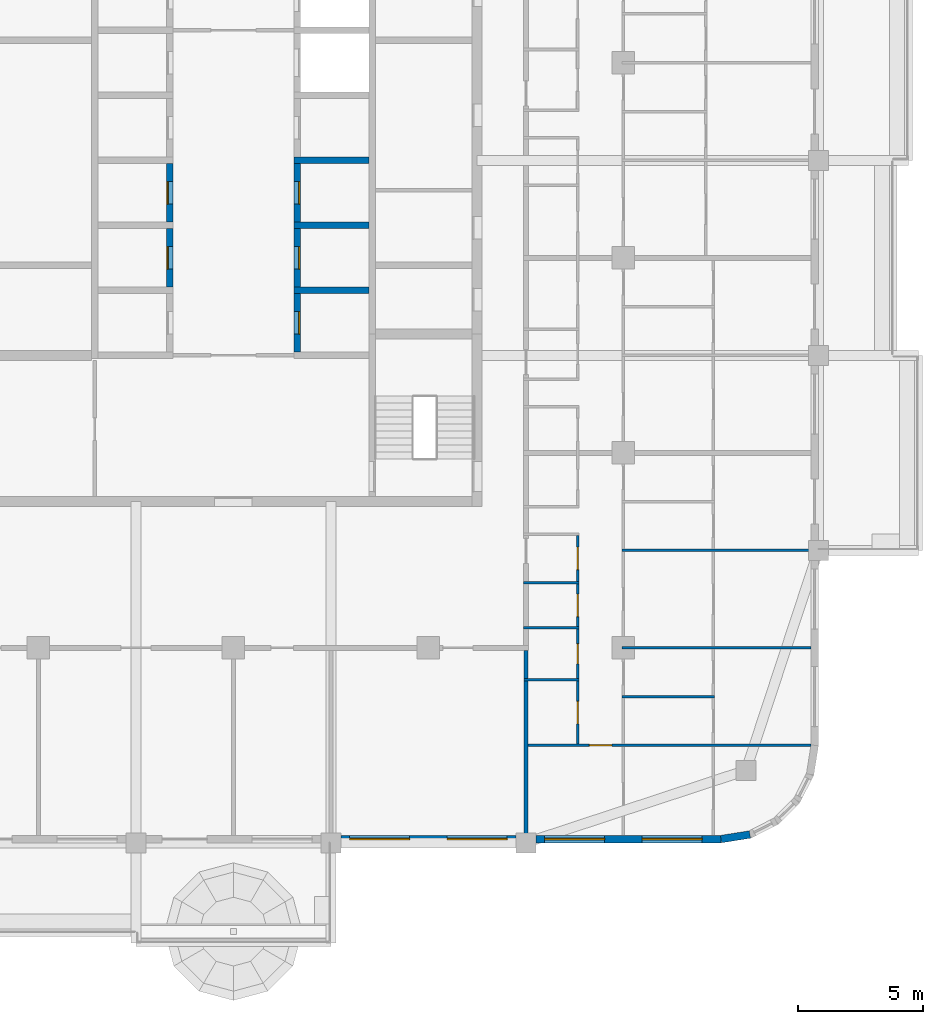
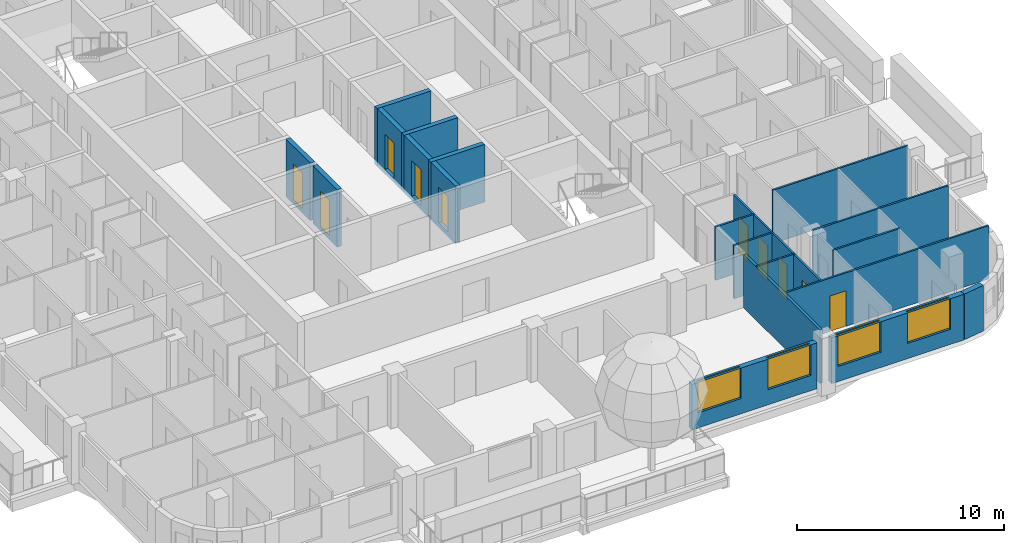
# One storey, part 5 of 17: 20 walls, 10 doors, 4 windows, 14 openings.
"""IFC4 building model written with IfcOpenShell, lengths in metres."""

from ifc_helpers import new_model, si_unit, direction, frame, frame_2d, origin, place, context, subcontext, project, spatial, rectangle, extrude, material, layer, layer_set, type_object, element, fill, save


model = new_model("IFC4")

# Units and contexts
model_context = context("Model", 3, precision=1e-05, world=origin(), true_north=direction((0.0, 1.0)))
body_context = subcontext(model_context, "Body", "Model", "MODEL_VIEW")
ifc_project = project(units=[si_unit("LENGTHUNIT", "METRE"), si_unit("AREAUNIT", "SQUARE_METRE"), si_unit("VOLUMEUNIT", "CUBIC_METRE"), si_unit("PLANEANGLEUNIT", "RADIAN"), si_unit("MASSUNIT", "GRAM", prefix="KILO")], contexts=[model_context])

# Site, building, storey
site_placement = place(None, origin())
site = spatial("IfcSite", under=ifc_project, at=site_placement, CompositionType="ELEMENT")
building_placement = place(site_placement, origin())
building = spatial("IfcBuilding", under=site, at=building_placement, Name="Ludao Terraces", CompositionType="ELEMENT")
storey_placement = place(building_placement, frame((0.0, 0.0, 221.10009765625)))
storey = spatial("IfcBuildingStorey", under=building, at=storey_placement, Name="L60", CompositionType="ELEMENT", Elevation=221.10009765625)

# Wall, openings, windows
ifc_material_1 = material(Name="Granite cladding", Category="masonry")
ifc_layer_1 = layer(ifc_material_1, 0.0400390625, Category="stone")
ifc_material_2 = material(Name="Mineral wool")
ifc_layer_2 = layer(ifc_material_2, 0.06005859375)
ifc_material_3 = material(Name="Concrete C40", Category="concrete")
ifc_layer_3 = layer(ifc_material_3, 0.199951171875, Category="concrete")
ifc_layer_set_1 = layer_set([ifc_layer_1, ifc_layer_2, ifc_layer_3], Name="ENV Stone-clad wall 300")
wall_type_1 = type_object("IfcWallType", Name="ENV Stone-clad wall 300", PredefinedType="SOLIDWALL", material=ifc_layer_set_1)
wall_1_placement = place(storey_placement, frame((89.300048828125, 41.75, 0.0), z_axis=(0.0, 0.0, 1.0), x_axis=(1.0, 0.0, 0.0)))
wall_1 = element("IfcWall", 1, at=wall_1_placement, inside=storey, type_object=wall_type_1, Name="EW-L60-S4", PredefinedType="SOLIDWALL", context=body_context, shape_type="SweptSolid", body=[
    extrude(rectangle(XDim=7.0, YDim=0.300048828125, at=frame_2d((3.5, 0.0))), origin(), (0.0, 0.0, 1.0), 2.699951171875),
])
opening_1_placement = place(wall_1_placement, frame((0.35009765625, 0.0, 0.89990234375)))
opening_1 = element("IfcOpeningElement", 2, at=opening_1_placement, cuts=wall_1, Name="Opening W1", PredefinedType="OPENING", context=body_context, shape_type="SweptSolid", body=[
    extrude(rectangle(XDim=2.39990234375, YDim=1.800048828125, at=frame_2d((1.199951171875, 0.89990234375))), frame((0.0, 0.16015625, 0.0), z_axis=(0.0, -1.0, 0.0), x_axis=(1.0, 0.0, 0.0)), (0.0, 0.0, 1.0), 0.320068359375),
])
opening_2_placement = place(wall_1_placement, frame((4.25, 0.0, 0.89990234375)))
opening_2 = element("IfcOpeningElement", 3, at=opening_2_placement, cuts=wall_1, Name="Opening W1", PredefinedType="OPENING", context=body_context, shape_type="SweptSolid", body=[
    extrude(rectangle(XDim=2.39990234375, YDim=1.800048828125, at=frame_2d((1.199951171875, 0.89990234375))), frame((0.0, 0.16015625, 0.0), z_axis=(0.0, -1.0, 0.0), x_axis=(1.0, 0.0, 0.0)), (0.0, 0.0, 1.0), 0.320068359375),
])
ifc_material_4 = material(Name="Clear glass in aluminium frame", Category="aluminium")
ifc_layer_4 = layer(ifc_material_4, 0.06005859375)
ifc_layer_set_2 = layer_set([ifc_layer_4], Name="ENV Window W1 2400x1800")
window_type = type_object("IfcWindowType", Name="ENV Window W1 2400x1800", PartitioningType="DOUBLE_PANEL_VERTICAL", PredefinedType="WINDOW", material=ifc_layer_set_2)
window_1_placement = place(opening_1_placement, origin())
window_1 = element("IfcWindow", 4, at=window_1_placement, inside=storey, type_object=window_type, Name="W-L60-S4-1", OverallHeight=1.800048828125, OverallWidth=2.39990234375, PartitioningType="DOUBLE_PANEL_VERTICAL", PredefinedType="WINDOW", context=body_context, shape_type="SweptSolid", body=[
    extrude(rectangle(XDim=2.39990234375, YDim=1.800048828125, at=frame_2d((1.199951171875, 0.89990234375))), frame((0.0, 0.030029296875, 0.0), z_axis=(0.0, -1.0, 0.0), x_axis=(1.0, 0.0, 0.0)), (0.0, 0.0, 1.0), 0.06005859375),
])
fill(opening_1, window_1)
window_2_placement = place(opening_2_placement, origin())
window_2 = element("IfcWindow", 5, at=window_2_placement, inside=storey, type_object=window_type, Name="W-L60-S4-2", OverallHeight=1.800048828125, OverallWidth=2.39990234375, PartitioningType="DOUBLE_PANEL_VERTICAL", PredefinedType="WINDOW", context=body_context, shape_type="SweptSolid", body=[
    extrude(rectangle(XDim=2.39990234375, YDim=1.800048828125, at=frame_2d((1.199951171875, 0.89990234375))), frame((0.0, 0.030029296875, 0.0), z_axis=(0.0, -1.0, 0.0), x_axis=(1.0, 0.0, 0.0)), (0.0, 0.0, 1.0), 0.06005859375),
])
fill(opening_2, window_2)

wall_2_placement = place(storey_placement, frame((97.10009765625, 41.75, 0.0), z_axis=(0.0, 0.0, 1.0), x_axis=(1.0, 0.0, 0.0)))
wall_2 = element("IfcWall", 6, at=wall_2_placement, inside=storey, type_object=wall_type_1, Name="EW-L60-S5", PredefinedType="SOLIDWALL", context=body_context, shape_type="SweptSolid", body=[
    extrude(rectangle(XDim=7.39990234375, YDim=0.300048828125, at=frame_2d((3.699951171875, 0.0))), origin(), (0.0, 0.0, 1.0), 2.699951171875),
])
opening_3_placement = place(wall_2_placement, frame((0.35009765625, 0.0, 0.89990234375)))
opening_3 = element("IfcOpeningElement", 7, at=opening_3_placement, cuts=wall_2, Name="Opening W1", PredefinedType="OPENING", context=body_context, shape_type="SweptSolid", body=[
    extrude(rectangle(XDim=2.39990234375, YDim=1.800048828125, at=frame_2d((1.199951171875, 0.89990234375))), frame((0.0, 0.16015625, 0.0), z_axis=(0.0, -1.0, 0.0), x_axis=(1.0, 0.0, 0.0)), (0.0, 0.0, 1.0), 0.320068359375),
])
opening_4_placement = place(wall_2_placement, frame((4.25, 0.0, 0.89990234375)))
opening_4 = element("IfcOpeningElement", 8, at=opening_4_placement, cuts=wall_2, Name="Opening W1", PredefinedType="OPENING", context=body_context, shape_type="SweptSolid", body=[
    extrude(rectangle(XDim=2.39990234375, YDim=1.800048828125, at=frame_2d((1.199951171875, 0.89990234375))), frame((0.0, 0.16015625, 0.0), z_axis=(0.0, -1.0, 0.0), x_axis=(1.0, 0.0, 0.0)), (0.0, 0.0, 1.0), 0.320068359375),
])
window_3_placement = place(opening_3_placement, origin())
window_3 = element("IfcWindow", 9, at=window_3_placement, inside=storey, type_object=window_type, Name="W-L60-S5-1", OverallHeight=1.800048828125, OverallWidth=2.39990234375, PartitioningType="DOUBLE_PANEL_VERTICAL", PredefinedType="WINDOW", context=body_context, shape_type="SweptSolid", body=[
    extrude(rectangle(XDim=2.39990234375, YDim=1.800048828125, at=frame_2d((1.199951171875, 0.89990234375))), frame((0.0, 0.030029296875, 0.0), z_axis=(0.0, -1.0, 0.0), x_axis=(1.0, 0.0, 0.0)), (0.0, 0.0, 1.0), 0.06005859375),
])
fill(opening_3, window_3)
window_4_placement = place(opening_4_placement, origin())
window_4 = element("IfcWindow", 10, at=window_4_placement, inside=storey, type_object=window_type, Name="W-L60-S5-2", OverallHeight=1.800048828125, OverallWidth=2.39990234375, PartitioningType="DOUBLE_PANEL_VERTICAL", PredefinedType="WINDOW", context=body_context, shape_type="SweptSolid", body=[
    extrude(rectangle(XDim=2.39990234375, YDim=1.800048828125, at=frame_2d((1.199951171875, 0.89990234375))), frame((0.0, 0.030029296875, 0.0), z_axis=(0.0, -1.0, 0.0), x_axis=(1.0, 0.0, 0.0)), (0.0, 0.0, 1.0), 0.06005859375),
])
fill(opening_4, window_4)

# Wall
wall_3_placement = place(storey_placement, frame((104.5, 41.75, 0.0), z_axis=(0.0, 0.0, 1.0), x_axis=(0.987678452879, 0.156496880861, 0.0)))
element("IfcWall", 11, at=wall_3_placement, inside=storey, type_object=wall_type_1, Name="EW-L60-SE1", PredefinedType="SOLIDWALL", context=body_context, shape_type="SweptSolid", body=[
    extrude(rectangle(XDim=1.173095703125, YDim=0.300048828125, at=frame_2d((0.58642578125, 0.0))), origin(), (0.0, 0.0, 1.0), 2.699951171875),
])

# Wall, opening, door
ifc_material_5 = material(Name="Gypsum plasterboard", Category="gypsum")
ifc_layer_5 = layer(ifc_material_5, 0.012451171875, Category="gypsum")
ifc_layer_6 = layer(ifc_material_2, 0.06005859375, Name="insulation")
ifc_material_6 = material(Name="Steel Q235", Category="steel")
ifc_layer_7 = layer(ifc_material_6, 0.014892578125, Name="stud")
ifc_layer_8 = layer(ifc_material_5, 0.012451171875, Category="gypsum")
ifc_layer_set_3 = layer_set([ifc_layer_5, ifc_layer_6, ifc_layer_7, ifc_layer_8], Name="INT Partition 100")
wall_type_2 = type_object("IfcWallType", Name="INT Partition 100", PredefinedType="PARTITIONING", material=ifc_layer_set_3)
wall_4_placement = place(storey_placement, frame((96.625, 45.5, 0.0), z_axis=(0.0, 0.0, 1.0), x_axis=(1.0, 0.0, 0.0)))
wall_4 = element("IfcWall", 12, at=wall_4_placement, inside=storey, type_object=wall_type_2, Name="PW-L60-PW001", PredefinedType="PARTITIONING", context=body_context, shape_type="SweptSolid", body=[
    extrude(rectangle(XDim=11.47509765625, YDim=0.10009765625, at=frame_2d((5.737548828125, 0.0))), origin(), (0.0, 0.0, 1.0), 3.14990234375),
])
opening_5_placement = place(wall_4_placement, frame((2.610107421875, 0.0, 0.0)))
opening_5 = element("IfcOpeningElement", 13, at=opening_5_placement, cuts=wall_4, Name="Opening R21-006", PredefinedType="OPENING", context=body_context, shape_type="SweptSolid", body=[
    extrude(rectangle(XDim=0.89990234375, YDim=2.10009765625, at=frame_2d((0.449951171875, 1.050048828125))), frame((0.0, 0.06005859375, 0.0), z_axis=(0.0, -1.0, 0.0), x_axis=(1.0, 0.0, 0.0)), (0.0, 0.0, 1.0), 0.1201171875),
])
ifc_material_7 = material(Name="Timber door leaf", Category="wood")
door_type_1 = type_object("IfcDoorType", Name="INT Room door 900", OperationType="SINGLE_SWING_LEFT", PredefinedType="DOOR", material=ifc_material_7)
door_1_placement = place(opening_5_placement, origin())
door_1 = element("IfcDoor", 14, at=door_1_placement, inside=storey, type_object=door_type_1, Name="DOOR 006", OperationType="SINGLE_SWING_RIGHT", OverallHeight=2.10009765625, OverallWidth=0.89990234375, PredefinedType="DOOR", context=body_context, shape_type="SweptSolid", body=[
    extrude(rectangle(XDim=0.89990234375, YDim=2.10009765625, at=frame_2d((0.449951171875, 1.050048828125))), frame((0.0, 0.02490234375, 0.0), z_axis=(0.0, -1.0, 0.0), x_axis=(1.0, 0.0, 0.0)), (0.0, 0.0, 1.0), 0.050048828125),
])
fill(opening_5, door_1)

# Walls
wall_5_placement = place(storey_placement, frame((100.550048828125, 47.449951171875, 0.0), z_axis=(0.0, 0.0, 1.0), x_axis=(1.0, 0.0, 0.0)))
element("IfcWall", 15, at=wall_5_placement, inside=storey, type_object=wall_type_2, Name="PW-L60-PW003", PredefinedType="PARTITIONING", context=body_context, shape_type="SweptSolid", body=[
    extrude(rectangle(XDim=3.699951171875, YDim=0.10009765625, at=frame_2d((1.85009765625, 0.0))), origin(), (0.0, 0.0, 1.0), 3.14990234375),
])
wall_6_placement = place(storey_placement, frame((96.625, 48.1201171875, 0.0), z_axis=(0.0, 0.0, 1.0), x_axis=(1.0, 0.0, 0.0)))
element("IfcWall", 16, at=wall_6_placement, inside=storey, type_object=wall_type_2, Name="PW-L60-PW005", PredefinedType="PARTITIONING", context=body_context, shape_type="SweptSolid", body=[
    extrude(rectangle(XDim=2.195068359375, YDim=0.10009765625, at=frame_2d((1.09765625, 0.0))), origin(), (0.0, 0.0, 1.0), 3.14990234375),
])
wall_7_placement = place(storey_placement, frame((100.550048828125, 49.39990234375, 0.0), z_axis=(0.0, 0.0, 1.0), x_axis=(1.0, 0.0, 0.0)))
element("IfcWall", 17, at=wall_7_placement, inside=storey, type_object=wall_type_2, Name="PW-L60-PW008", PredefinedType="PARTITIONING", context=body_context, shape_type="SweptSolid", body=[
    extrude(rectangle(XDim=7.550048828125, YDim=0.10009765625, at=frame_2d((3.77490234375, 0.0))), origin(), (0.0, 0.0, 1.0), 3.14990234375),
])
for number, where, z_axis, x_axis, name in (
    (18, (96.60009765625, 50.199951171875, 0.0), (0.0, 0.0, 1.0), (1.0, 0.0, 0.0), "PW-L60-PW009"),
    (19, (96.60009765625, 52.0, 0.0), (0.0, 0.0, 1.0), (1.0, 0.0, 0.0), "PW-L60-PW011"),
):
    element("IfcWall", number, at=place(storey_placement, frame(where, z_axis=z_axis, x_axis=x_axis)), inside=storey, type_object=wall_type_2, Name=name, PredefinedType="PARTITIONING", context=body_context, shape_type="SweptSolid", body=[
        extrude(rectangle(XDim=2.219970703125, YDim=0.10009765625, at=frame_2d((1.10986328125, 0.0))), origin(), (0.0, 0.0, 1.0), 3.14990234375),
    ])
wall_8_placement = place(storey_placement, frame((100.550048828125, 53.300048828125, 0.0), z_axis=(0.0, 0.0, 1.0), x_axis=(1.0, 0.0, 0.0)))
element("IfcWall", 20, at=wall_8_placement, inside=storey, type_object=wall_type_2, Name="PW-L60-PW013", PredefinedType="PARTITIONING", context=body_context, shape_type="SweptSolid", body=[
    extrude(rectangle(XDim=7.550048828125, YDim=0.10009765625, at=frame_2d((3.77490234375, 0.0))), origin(), (0.0, 0.0, 1.0), 3.14990234375),
])

# Wall, openings, doors
wall_9_placement = place(storey_placement, frame((98.77001953125, 45.550048828125, 0.0), z_axis=(0.0, 0.0, 1.0), x_axis=(0.0, 1.0, 0.0)))
wall_9 = element("IfcWall", 21, at=wall_9_placement, inside=storey, type_object=wall_type_2, Name="PW-L60-PW092", PredefinedType="PARTITIONING", context=body_context, shape_type="SweptSolid", body=[
    extrude(rectangle(XDim=8.35009765625, YDim=0.10009765625, at=frame_2d((4.175048828125, 0.0))), origin(), (0.0, 0.0, 1.0), 3.14990234375),
])
opening_6_placement = place(wall_9_placement, frame((0.81005859375, 0.0, 0.0)))
opening_6 = element("IfcOpeningElement", 22, at=opening_6_placement, cuts=wall_9, Name="Opening R21-010", PredefinedType="OPENING", context=body_context, shape_type="SweptSolid", body=[
    extrude(rectangle(XDim=0.89990234375, YDim=2.10009765625, at=frame_2d((0.449951171875, 1.050048828125))), frame((0.0, 0.06005859375, 0.0), z_axis=(0.0, -1.0, 0.0), x_axis=(1.0, 0.0, 0.0)), (0.0, 0.0, 1.0), 0.1201171875),
])
opening_7_placement = place(wall_9_placement, frame((3.2099609375, 0.0, 0.0)))
opening_7 = element("IfcOpeningElement", 23, at=opening_7_placement, cuts=wall_9, Name="Opening R21-015", PredefinedType="OPENING", context=body_context, shape_type="SweptSolid", body=[
    extrude(rectangle(XDim=0.800048828125, YDim=2.10009765625, at=frame_2d((0.39990234375, 1.050048828125))), frame((0.0, 0.06005859375, 0.0), z_axis=(0.0, -1.0, 0.0), x_axis=(1.0, 0.0, 0.0)), (0.0, 0.0, 1.0), 0.1201171875),
])
opening_8_placement = place(wall_9_placement, frame((5.10009765625, 0.0, 0.0)))
opening_8 = element("IfcOpeningElement", 24, at=opening_8_placement, cuts=wall_9, Name="Opening R21-021", PredefinedType="OPENING", context=body_context, shape_type="SweptSolid", body=[
    extrude(rectangle(XDim=0.89990234375, YDim=2.10009765625, at=frame_2d((0.449951171875, 1.050048828125))), frame((0.0, 0.06005859375, 0.0), z_axis=(0.0, -1.0, 0.0), x_axis=(1.0, 0.0, 0.0)), (0.0, 0.0, 1.0), 0.1201171875),
])
opening_9_placement = place(wall_9_placement, frame((6.97509765625, 0.0, 0.0)))
opening_9 = element("IfcOpeningElement", 25, at=opening_9_placement, cuts=wall_9, Name="Opening R21-027", PredefinedType="OPENING", context=body_context, shape_type="SweptSolid", body=[
    extrude(rectangle(XDim=0.89990234375, YDim=2.10009765625, at=frame_2d((0.449951171875, 1.050048828125))), frame((0.0, 0.06005859375, 0.0), z_axis=(0.0, -1.0, 0.0), x_axis=(1.0, 0.0, 0.0)), (0.0, 0.0, 1.0), 0.1201171875),
])
door_type_2 = type_object("IfcDoorType", Name="INT Bathroom door 900", OperationType="SINGLE_SWING_LEFT", PredefinedType="DOOR", material=ifc_material_7)
door_2_placement = place(opening_8_placement, origin())
door_2 = element("IfcDoor", 26, at=door_2_placement, inside=storey, type_object=door_type_2, Name="DOOR 021", OperationType="SINGLE_SWING_LEFT", OverallHeight=2.10009765625, OverallWidth=0.89990234375, PredefinedType="DOOR", context=body_context, shape_type="SweptSolid", body=[
    extrude(rectangle(XDim=0.89990234375, YDim=2.10009765625, at=frame_2d((0.449951171875, 1.050048828125))), frame((0.0, 0.02490234375, 0.0), z_axis=(0.0, -1.0, 0.0), x_axis=(1.0, 0.0, 0.0)), (0.0, 0.0, 1.0), 0.050048828125),
])
fill(opening_8, door_2)
door_3_placement = place(opening_9_placement, origin())
door_3 = element("IfcDoor", 27, at=door_3_placement, inside=storey, type_object=door_type_2, Name="DOOR 027", OperationType="SINGLE_SWING_RIGHT", OverallHeight=2.10009765625, OverallWidth=0.89990234375, PredefinedType="DOOR", context=body_context, shape_type="SweptSolid", body=[
    extrude(rectangle(XDim=0.89990234375, YDim=2.10009765625, at=frame_2d((0.449951171875, 1.050048828125))), frame((0.0, 0.02490234375, 0.0), z_axis=(0.0, -1.0, 0.0), x_axis=(1.0, 0.0, 0.0)), (0.0, 0.0, 1.0), 0.050048828125),
])
fill(opening_9, door_3)
door_4_placement = place(opening_6_placement, origin())
door_4 = element("IfcDoor", 28, at=door_4_placement, inside=storey, type_object=door_type_1, Name="DOOR 010", OperationType="SINGLE_SWING_LEFT", OverallHeight=2.10009765625, OverallWidth=0.89990234375, PredefinedType="DOOR", context=body_context, shape_type="SweptSolid", body=[
    extrude(rectangle(XDim=0.89990234375, YDim=2.10009765625, at=frame_2d((0.449951171875, 1.050048828125))), frame((0.0, 0.02490234375, 0.0), z_axis=(0.0, -1.0, 0.0), x_axis=(1.0, 0.0, 0.0)), (0.0, 0.0, 1.0), 0.050048828125),
])
fill(opening_6, door_4)
door_type_3 = type_object("IfcDoorType", Name="INT Store door 800", OperationType="SINGLE_SWING_LEFT", PredefinedType="DOOR", material=ifc_material_7)
door_5_placement = place(opening_7_placement, origin())
door_5 = element("IfcDoor", 29, at=door_5_placement, inside=storey, type_object=door_type_3, Name="DOOR 015", OperationType="SINGLE_SWING_LEFT", OverallHeight=2.10009765625, OverallWidth=0.800048828125, PredefinedType="DOOR", context=body_context, shape_type="SweptSolid", body=[
    extrude(rectangle(XDim=0.800048828125, YDim=2.10009765625, at=frame_2d((0.39990234375, 1.050048828125))), frame((0.0, 0.02490234375, 0.0), z_axis=(0.0, -1.0, 0.0), x_axis=(1.0, 0.0, 0.0)), (0.0, 0.0, 1.0), 0.050048828125),
])
fill(opening_7, door_5)

# Wall
ifc_material_8 = material(Name="Autoclaved aerated concrete block B06 A3.5", Category="concrete")
ifc_layer_9 = layer(ifc_material_8, 0.14990234375)
ifc_layer_set_4 = layer_set([ifc_layer_9], Name="INT Party wall 150")
wall_type_3 = type_object("IfcWallType", Name="INT Party wall 150", PredefinedType="PARTITIONING", material=ifc_layer_set_4)
wall_10_placement = place(storey_placement, frame((96.699951171875, 41.900146484375, 0.0), z_axis=(0.0, 0.0, 1.0), x_axis=(0.0, 1.0, 0.0)))
element("IfcWall", 30, at=wall_10_placement, inside=storey, type_object=wall_type_3, Name="PW-L60-PW089", PredefinedType="PARTITIONING", context=body_context, shape_type="SweptSolid", body=[
    extrude(rectangle(XDim=7.39990234375, YDim=0.14990234375, at=frame_2d((3.699951171875, 0.0))), origin(), (0.0, 0.0, 1.0), 3.14990234375),
])

# Wall, opening, door
ifc_material_9 = material(Name="Concrete C50", Category="concrete")
ifc_layer_10 = layer(ifc_material_9, 0.25)
ifc_layer_set_5 = layer_set([ifc_layer_10], Name="Shaft wall 250 C50")
wall_type_4 = type_object("IfcWallType", Name="Shaft wall 250 C50", PredefinedType="SOLIDWALL", material=ifc_layer_set_5)
wall_11_placement = place(storey_placement, frame((82.449951171875, 63.824951171875, -0.25), z_axis=(0.0, 0.0, 1.0), x_axis=(0.0, 1.0, 0.0)))
wall_11 = element("IfcWall", 31, at=wall_11_placement, inside=storey, type_object=wall_type_4, Name="Core wall L60 front-W2", PredefinedType="SOLIDWALL", context=body_context, shape_type="SweptSolid", body=[
    extrude(rectangle(XDim=2.35009765625, YDim=0.25, at=frame_2d((1.175048828125, 0.0))), origin(), (0.0, 0.0, 1.0), 3.39990234375),
])
opening_10_placement = place(wall_11_placement, frame((0.72509765625, 0.0, 0.25)))
opening_10 = element("IfcOpeningElement", 32, at=opening_10_placement, cuts=wall_11, Name="Opening R21-063", PredefinedType="OPENING", context=body_context, shape_type="SweptSolid", body=[
    extrude(rectangle(XDim=0.89990234375, YDim=2.10009765625, at=frame_2d((0.449951171875, 1.050048828125))), frame((0.0, 0.135009765625, 0.0), z_axis=(0.0, -1.0, 0.0), x_axis=(1.0, 0.0, 0.0)), (0.0, 0.0, 1.0), 0.27001953125),
])
door_6_placement = place(opening_10_placement, origin())
door_6 = element("IfcDoor", 33, at=door_6_placement, inside=storey, type_object=door_type_1, Name="DOOR 063", OperationType="SINGLE_SWING_LEFT", OverallHeight=2.10009765625, OverallWidth=0.89990234375, PredefinedType="DOOR", context=body_context, shape_type="SweptSolid", body=[
    extrude(rectangle(XDim=0.89990234375, YDim=2.10009765625, at=frame_2d((0.449951171875, 1.050048828125))), frame((0.0, 0.10986328125, 0.0), z_axis=(0.0, -1.0, 0.0), x_axis=(1.0, 0.0, 0.0)), (0.0, 0.0, 1.0), 0.050048828125),
])
fill(opening_10, door_6)

wall_12_placement = place(storey_placement, frame((82.449951171875, 66.425048828125, -0.25), z_axis=(0.0, 0.0, 1.0), x_axis=(0.0, 1.0, 0.0)))
wall_12 = element("IfcWall", 34, at=wall_12_placement, inside=storey, type_object=wall_type_4, Name="Core wall L60 front-W3", PredefinedType="SOLIDWALL", context=body_context, shape_type="SweptSolid", body=[
    extrude(rectangle(XDim=2.349853515625, YDim=0.25, at=frame_2d((1.1748046875, 0.0))), origin(), (0.0, 0.0, 1.0), 3.39990234375),
])
opening_11_placement = place(wall_12_placement, frame((0.72509765625, 0.0, 0.25)))
opening_11 = element("IfcOpeningElement", 35, at=opening_11_placement, cuts=wall_12, Name="Opening R21-072", PredefinedType="OPENING", context=body_context, shape_type="SweptSolid", body=[
    extrude(rectangle(XDim=0.89990234375, YDim=2.10009765625, at=frame_2d((0.449951171875, 1.050048828125))), frame((0.0, 0.135009765625, 0.0), z_axis=(0.0, -1.0, 0.0), x_axis=(1.0, 0.0, 0.0)), (0.0, 0.0, 1.0), 0.27001953125),
])
door_7_placement = place(opening_11_placement, origin())
door_7 = element("IfcDoor", 36, at=door_7_placement, inside=storey, type_object=door_type_1, Name="DOOR 072", OperationType="SINGLE_SWING_RIGHT", OverallHeight=2.10009765625, OverallWidth=0.89990234375, PredefinedType="DOOR", context=body_context, shape_type="SweptSolid", body=[
    extrude(rectangle(XDim=0.89990234375, YDim=2.10009765625, at=frame_2d((0.449951171875, 1.050048828125))), frame((0.0, 0.10986328125, 0.0), z_axis=(0.0, -1.0, 0.0), x_axis=(1.0, 0.0, 0.0)), (0.0, 0.0, 1.0), 0.050048828125),
])
fill(opening_11, door_7)

wall_13_placement = place(storey_placement, frame((87.550048828125, 61.22509765625, -0.25), z_axis=(0.0, 0.0, 1.0), x_axis=(0.0, 1.0, 0.0)))
wall_13 = element("IfcWall", 37, at=wall_13_placement, inside=storey, type_object=wall_type_4, Name="Core wall L60 front-E1", PredefinedType="SOLIDWALL", context=body_context, shape_type="SweptSolid", body=[
    extrude(rectangle(XDim=2.349853515625, YDim=0.25, at=frame_2d((1.1748046875, 0.0))), origin(), (0.0, 0.0, 1.0), 3.39990234375),
])
opening_12_placement = place(wall_13_placement, frame((0.72509765625, 0.0, 0.25)))
opening_12 = element("IfcOpeningElement", 38, at=opening_12_placement, cuts=wall_13, Name="Opening R21-054", PredefinedType="OPENING", context=body_context, shape_type="SweptSolid", body=[
    extrude(rectangle(XDim=0.89990234375, YDim=2.10009765625, at=frame_2d((0.449951171875, 1.050048828125))), frame((0.0, 0.135009765625, 0.0), z_axis=(0.0, -1.0, 0.0), x_axis=(1.0, 0.0, 0.0)), (0.0, 0.0, 1.0), 0.27001953125),
])
door_8_placement = place(opening_12_placement, origin())
door_8 = element("IfcDoor", 39, at=door_8_placement, inside=storey, type_object=door_type_1, Name="DOOR 054", OperationType="SINGLE_SWING_RIGHT", OverallHeight=2.10009765625, OverallWidth=0.89990234375, PredefinedType="DOOR", context=body_context, shape_type="SweptSolid", body=[
    extrude(rectangle(XDim=0.89990234375, YDim=2.10009765625, at=frame_2d((0.449951171875, 1.050048828125))), frame((0.0, -0.06005859375, 0.0), z_axis=(0.0, -1.0, 0.0), x_axis=(1.0, 0.0, 0.0)), (0.0, 0.0, 1.0), 0.050048828125),
])
fill(opening_12, door_8)

# Wall
wall_14_placement = place(storey_placement, frame((87.425048828125, 63.699951171875, -0.25), z_axis=(0.0, 0.0, 1.0), x_axis=(1.0, 0.0, 0.0)))
element("IfcWall", 40, at=wall_14_placement, inside=storey, type_object=wall_type_4, Name="Core wall L60 div-E2", PredefinedType="SOLIDWALL", context=body_context, shape_type="SweptSolid", body=[
    extrude(rectangle(XDim=3.0, YDim=0.25, at=frame_2d((1.5, 0.0))), origin(), (0.0, 0.0, 1.0), 3.39990234375),
])

# Wall, opening, door
wall_15_placement = place(storey_placement, frame((87.550048828125, 63.824951171875, -0.25), z_axis=(0.0, 0.0, 1.0), x_axis=(0.0, 1.0, 0.0)))
wall_15 = element("IfcWall", 41, at=wall_15_placement, inside=storey, type_object=wall_type_4, Name="Core wall L60 front-E2", PredefinedType="SOLIDWALL", context=body_context, shape_type="SweptSolid", body=[
    extrude(rectangle(XDim=2.35009765625, YDim=0.25, at=frame_2d((1.175048828125, 0.0))), origin(), (0.0, 0.0, 1.0), 3.39990234375),
])
opening_13_placement = place(wall_15_placement, frame((0.72509765625, 0.0, 0.25)))
opening_13 = element("IfcOpeningElement", 42, at=opening_13_placement, cuts=wall_15, Name="Opening R21-064", PredefinedType="OPENING", context=body_context, shape_type="SweptSolid", body=[
    extrude(rectangle(XDim=0.89990234375, YDim=2.10009765625, at=frame_2d((0.449951171875, 1.050048828125))), frame((0.0, 0.135009765625, 0.0), z_axis=(0.0, -1.0, 0.0), x_axis=(1.0, 0.0, 0.0)), (0.0, 0.0, 1.0), 0.27001953125),
])
door_9_placement = place(opening_13_placement, origin())
door_9 = element("IfcDoor", 43, at=door_9_placement, inside=storey, type_object=door_type_1, Name="DOOR 064", OperationType="SINGLE_SWING_RIGHT", OverallHeight=2.10009765625, OverallWidth=0.89990234375, PredefinedType="DOOR", context=body_context, shape_type="SweptSolid", body=[
    extrude(rectangle(XDim=0.89990234375, YDim=2.10009765625, at=frame_2d((0.449951171875, 1.050048828125))), frame((0.0, -0.06005859375, 0.0), z_axis=(0.0, -1.0, 0.0), x_axis=(1.0, 0.0, 0.0)), (0.0, 0.0, 1.0), 0.050048828125),
])
fill(opening_13, door_9)

# Wall
wall_16_placement = place(storey_placement, frame((87.425048828125, 66.300048828125, -0.25), z_axis=(0.0, 0.0, 1.0), x_axis=(1.0, 0.0, 0.0)))
element("IfcWall", 44, at=wall_16_placement, inside=storey, type_object=wall_type_4, Name="Core wall L60 div-E3", PredefinedType="SOLIDWALL", context=body_context, shape_type="SweptSolid", body=[
    extrude(rectangle(XDim=3.0, YDim=0.25, at=frame_2d((1.5, 0.0))), origin(), (0.0, 0.0, 1.0), 3.39990234375),
])

# Wall, opening, door
wall_17_placement = place(storey_placement, frame((87.550048828125, 66.425048828125, -0.25), z_axis=(0.0, 0.0, 1.0), x_axis=(0.0, 1.0, 0.0)))
wall_17 = element("IfcWall", 45, at=wall_17_placement, inside=storey, type_object=wall_type_4, Name="Core wall L60 front-E3", PredefinedType="SOLIDWALL", context=body_context, shape_type="SweptSolid", body=[
    extrude(rectangle(XDim=2.349853515625, YDim=0.25, at=frame_2d((1.1748046875, 0.0))), origin(), (0.0, 0.0, 1.0), 3.39990234375),
])
opening_14_placement = place(wall_17_placement, frame((0.72509765625, 0.0, 0.25)))
opening_14 = element("IfcOpeningElement", 46, at=opening_14_placement, cuts=wall_17, Name="Opening R21-073", PredefinedType="OPENING", context=body_context, shape_type="SweptSolid", body=[
    extrude(rectangle(XDim=0.89990234375, YDim=2.10009765625, at=frame_2d((0.449951171875, 1.050048828125))), frame((0.0, 0.135009765625, 0.0), z_axis=(0.0, -1.0, 0.0), x_axis=(1.0, 0.0, 0.0)), (0.0, 0.0, 1.0), 0.27001953125),
])
door_10_placement = place(opening_14_placement, origin())
door_10 = element("IfcDoor", 47, at=door_10_placement, inside=storey, type_object=door_type_1, Name="DOOR 073", OperationType="SINGLE_SWING_LEFT", OverallHeight=2.10009765625, OverallWidth=0.89990234375, PredefinedType="DOOR", context=body_context, shape_type="SweptSolid", body=[
    extrude(rectangle(XDim=0.89990234375, YDim=2.10009765625, at=frame_2d((0.449951171875, 1.050048828125))), frame((0.0, -0.06005859375, 0.0), z_axis=(0.0, -1.0, 0.0), x_axis=(1.0, 0.0, 0.0)), (0.0, 0.0, 1.0), 0.050048828125),
])
fill(opening_14, door_10)

# Wall
wall_18_placement = place(storey_placement, frame((87.425048828125, 68.89990234375, -0.25), z_axis=(0.0, 0.0, 1.0), x_axis=(1.0, 0.0, 0.0)))
element("IfcWall", 48, at=wall_18_placement, inside=storey, type_object=wall_type_4, Name="Core wall L60 div-E4", PredefinedType="SOLIDWALL", context=body_context, shape_type="SweptSolid", body=[
    extrude(rectangle(XDim=3.0, YDim=0.25, at=frame_2d((1.5, 0.0))), origin(), (0.0, 0.0, 1.0), 3.39990234375),
])

save(model, "model.ifc")
